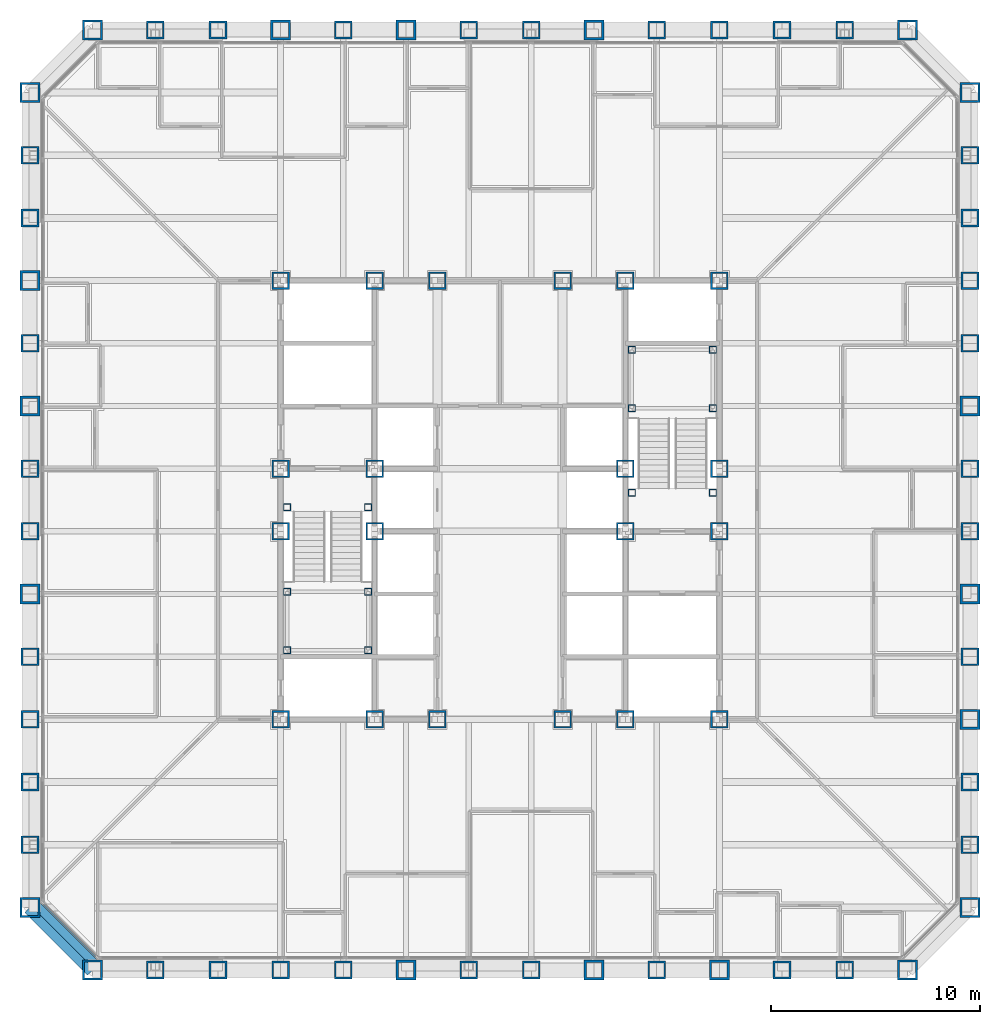
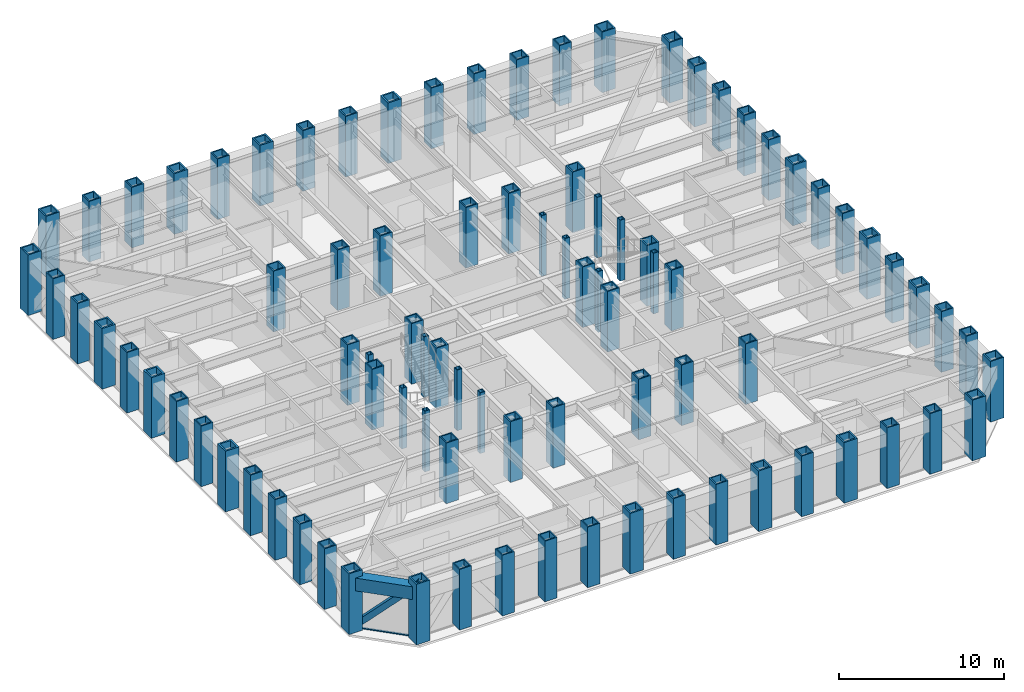
# One storey, part 1 of 17: 88 columns, 2 members, 1 beam, 1 element without a shape of its own.
"""IFC4 building model written with IfcOpenShell, lengths in metres."""

from ifc_helpers import new_model, si_unit, direction, frame, origin, origin_2d, place, context, subcontext, project, spatial, rectangle, hollow_rectangle, extrude, material, layer, layer_set, material_profile, profile_set, type_object, element, aggregate, save


model = new_model("IFC4")

# Units and contexts
model_context = context("Model", 3, precision=1e-05, world=origin(), true_north=direction((0.0, 1.0)))
body_context = subcontext(model_context, "Body", "Model", "MODEL_VIEW")
ifc_project = project(units=[si_unit("LENGTHUNIT", "METRE"), si_unit("AREAUNIT", "SQUARE_METRE"), si_unit("VOLUMEUNIT", "CUBIC_METRE"), si_unit("PLANEANGLEUNIT", "RADIAN"), si_unit("MASSUNIT", "GRAM", prefix="KILO")], contexts=[model_context])

# Site, building, storey
site_placement = place(None, origin())
site = spatial("IfcSite", under=ifc_project, at=site_placement, CompositionType="ELEMENT")
building_placement = place(site_placement, origin())
building = spatial("IfcBuilding", under=site, at=building_placement, Name="Chuquiago Exchange Tower", CompositionType="ELEMENT")
storey_placement = place(building_placement, frame((0.0, 0.0, 87.300048828125)))
storey = spatial("IfcBuildingStorey", under=building, at=storey_placement, Name="L18", CompositionType="ELEMENT", Elevation=87.300048828125)

# Columns
ifc_material_1 = material(Name="Steel ASTM A572 Grade 50", Category="steel")
ifc_material_profile_1 = material_profile(ifc_material_1, hollow_rectangle(XDim=0.85009765625, YDim=0.85009765625, WallThickness=0.0849609375, at=origin_2d()), Name="BOX850X850X85")
ifc_profile_set_1 = profile_set([ifc_material_profile_1], Name="Steel ASTM A572 Grade 50")
column_type_1 = type_object("IfcColumnType", Name="C6 BOX850X850X85", PredefinedType="COLUMN", material=ifc_profile_set_1)
for number, where, z_axis, x_axis, name in (
    (1, (6.0, 0.0, 0.0), (0.0, 0.0, 1.0), (0.0, -1.0, 0.0), "COL-L18-6_0"),
    (2, (9.0, 0.0, 0.0), (0.0, 0.0, 1.0), (0.0, -1.0, 0.0), "COL-L18-9_0"),
    (3, (12.0, 0.0, 0.0), (0.0, 0.0, 1.0), (0.0, -1.0, 0.0), "COL-L18-12_0"),
    (4, (15.0, 0.0, 0.0), (0.0, 0.0, 1.0), (0.0, -1.0, 0.0), "COL-L18-15_0"),
    (5, (21.0, 0.0, 0.0), (0.0, 0.0, 1.0), (0.0, -1.0, 0.0), "COL-L18-21_0"),
    (6, (24.0, 0.0, 0.0), (0.0, 0.0, 1.0), (0.0, -1.0, 0.0), "COL-L18-24_0"),
    (7, (30.0, 0.0, 0.0), (0.0, 0.0, 1.0), (0.0, -1.0, 0.0), "COL-L18-30_0"),
    (8, (36.0, 0.0, 0.0), (0.0, 0.0, 1.0), (0.0, -1.0, 0.0), "COL-L18-36_0"),
    (9, (39.0, 0.0, 0.0), (0.0, 0.0, 1.0), (0.0, -1.0, 0.0), "COL-L18-39_0"),
    (10, (45.0, 6.0, 0.0), (0.0, 0.0, 1.0), (1.0, 0.0, 0.0), "COL-L18-45_6"),
    (11, (45.0, 9.0, 0.0), (0.0, 0.0, 1.0), (1.0, 0.0, 0.0), "COL-L18-45_9"),
    (12, (45.0, 15.0, 0.0), (0.0, 0.0, 1.0), (1.0, 0.0, 0.0), "COL-L18-45_15"),
    (13, (45.0, 21.0, 0.0), (0.0, 0.0, 1.0), (1.0, 0.0, 0.0), "COL-L18-45_21"),
    (14, (45.0, 24.0, 0.0), (0.0, 0.0, 1.0), (1.0, 0.0, 0.0), "COL-L18-45_24"),
    (15, (45.0, 30.0, 0.0), (0.0, 0.0, 1.0), (1.0, 0.0, 0.0), "COL-L18-45_30"),
    (16, (45.0, 33.0, 0.0), (0.0, 0.0, 1.0), (1.0, 0.0, 0.0), "COL-L18-45_33"),
    (17, (45.0, 36.0, 0.0), (0.0, 0.0, 1.0), (1.0, 0.0, 0.0), "COL-L18-45_36"),
    (18, (45.0, 39.0, 0.0), (0.0, 0.0, 1.0), (1.0, 0.0, 0.0), "COL-L18-45_39"),
    (19, (39.0, 45.0, 0.0), (0.0, 0.0, 1.0), (0.0, 1.0, 0.0), "COL-L18-39_45"),
    (20, (36.0, 45.0, 0.0), (0.0, 0.0, 1.0), (0.0, 1.0, 0.0), "COL-L18-36_45"),
    (21, (33.0, 45.0, 0.0), (0.0, 0.0, 1.0), (0.0, 1.0, 0.0), "COL-L18-33_45"),
    (22, (30.0, 45.0, 0.0), (0.0, 0.0, 1.0), (0.0, 1.0, 0.0), "COL-L18-30_45"),
    (23, (24.0, 45.0, 0.0), (0.0, 0.0, 1.0), (0.0, 1.0, 0.0), "COL-L18-24_45"),
    (24, (21.0, 45.0, 0.0), (0.0, 0.0, 1.0), (0.0, 1.0, 0.0), "COL-L18-21_45"),
    (25, (15.0, 45.0, 0.0), (0.0, 0.0, 1.0), (0.0, 1.0, 0.0), "COL-L18-15_45"),
    (26, (9.0, 45.0, 0.0), (0.0, 0.0, 1.0), (0.0, 1.0, 0.0), "COL-L18-9_45"),
    (27, (6.0, 45.0, 0.0), (0.0, 0.0, 1.0), (0.0, 1.0, 0.0), "COL-L18-6_45"),
    (28, (0.0, 39.0, 0.0), (0.0, 0.0, 1.0), (-1.0, 0.0, 0.0), "COL-L18-0_39"),
    (29, (0.0, 36.0, 0.0), (0.0, 0.0, 1.0), (-1.0, 0.0, 0.0), "COL-L18-0_36"),
    (30, (0.0, 30.0, 0.0), (0.0, 0.0, 1.0), (-1.0, 0.0, 0.0), "COL-L18-0_30"),
    (31, (0.0, 24.0, 0.0), (0.0, 0.0, 1.0), (-1.0, 0.0, 0.0), "COL-L18-0_24"),
    (32, (0.0, 21.0, 0.0), (0.0, 0.0, 1.0), (-1.0, 0.0, 0.0), "COL-L18-0_21"),
    (33, (0.0, 15.0, 0.0), (0.0, 0.0, 1.0), (-1.0, 0.0, 0.0), "COL-L18-0_15"),
    (34, (0.0, 12.0, 0.0), (0.0, 0.0, 1.0), (-1.0, 0.0, 0.0), "COL-L18-0_12"),
    (35, (0.0, 9.0, 0.0), (0.0, 0.0, 1.0), (-1.0, 0.0, 0.0), "COL-L18-0_9"),
    (36, (0.0, 6.0, 0.0), (0.0, 0.0, 1.0), (-1.0, 0.0, 0.0), "COL-L18-0_6"),
):
    element("IfcColumn", number, at=place(storey_placement, frame(where, z_axis=z_axis, x_axis=x_axis)), inside=storey, type_object=column_type_1, Name=name, PredefinedType="COLUMN", context=body_context, shape_type="SweptSolid", body=[
        extrude(hollow_rectangle(XDim=0.85009765625, YDim=0.85009765625, WallThickness=0.0849609375, at=origin_2d()), origin(), (0.0, 0.0, 1.0), 4.5),
    ])
ifc_material_2 = material(Name="Steel ASTM A572 Grade 50", Category="steel")
ifc_material_profile_2 = material_profile(ifc_material_2, hollow_rectangle(XDim=0.85009765625, YDim=0.85009765625, WallThickness=0.0849609375, at=origin_2d()), Name="BOX850X850X85")
ifc_profile_set_2 = profile_set([ifc_material_profile_2], Name="Steel ASTM A572 Grade 50")
column_type_2 = type_object("IfcColumnType", Name="CC2 BOX850X850X85", PredefinedType="COLUMN", material=ifc_profile_set_2)
for number, where, z_axis, x_axis, name in (
    (37, (16.5, 12.0, 0.0), (0.0, 0.0, 1.0), (1.0, 0.0, 0.0), "CCOL-L18-16.5_12"),
    (38, (19.5, 12.0, 0.0), (0.0, 0.0, 1.0), (1.0, 0.0, 0.0), "CCOL-L18-19.5_12"),
    (39, (25.5, 12.0, 0.0), (0.0, 0.0, 1.0), (1.0, 0.0, 0.0), "CCOL-L18-25.5_12"),
    (40, (28.5, 12.0, 0.0), (0.0, 0.0, 1.0), (1.0, 0.0, 0.0), "CCOL-L18-28.5_12"),
    (41, (16.5, 33.0, 0.0), (0.0, 0.0, 1.0), (1.0, 0.0, 0.0), "CCOL-L18-16.5_33"),
    (42, (19.5, 33.0, 0.0), (0.0, 0.0, 1.0), (1.0, 0.0, 0.0), "CCOL-L18-19.5_33"),
    (43, (25.5, 33.0, 0.0), (0.0, 0.0, 1.0), (1.0, 0.0, 0.0), "CCOL-L18-25.5_33"),
    (44, (28.5, 33.0, 0.0), (0.0, 0.0, 1.0), (1.0, 0.0, 0.0), "CCOL-L18-28.5_33"),
    (45, (12.0, 21.0, 0.0), (0.0, 0.0, 1.0), (1.0, 0.0, 0.0), "CCOL-L18-12_21"),
    (46, (12.0, 24.0, 0.0), (0.0, 0.0, 1.0), (1.0, 0.0, 0.0), "CCOL-L18-12_24"),
    (47, (33.0, 21.0, 0.0), (0.0, 0.0, 1.0), (1.0, 0.0, 0.0), "CCOL-L18-33_21"),
    (48, (33.0, 24.0, 0.0), (0.0, 0.0, 1.0), (1.0, 0.0, 0.0), "CCOL-L18-33_24"),
    (49, (16.5, 21.0, 0.0), (0.0, 0.0, 1.0), (1.0, 0.0, 0.0), "CCOL-L18-16.5_21"),
    (50, (16.5, 24.0, 0.0), (0.0, 0.0, 1.0), (1.0, 0.0, 0.0), "CCOL-L18-16.5_24"),
    (51, (28.5, 21.0, 0.0), (0.0, 0.0, 1.0), (1.0, 0.0, 0.0), "CCOL-L18-28.5_21"),
    (52, (28.5, 24.0, 0.0), (0.0, 0.0, 1.0), (1.0, 0.0, 0.0), "CCOL-L18-28.5_24"),
):
    element("IfcColumn", number, at=place(storey_placement, frame(where, z_axis=z_axis, x_axis=x_axis)), inside=storey, type_object=column_type_2, Name=name, PredefinedType="COLUMN", context=body_context, shape_type="SweptSolid", body=[
        extrude(hollow_rectangle(XDim=0.85009765625, YDim=0.85009765625, WallThickness=0.0849609375, at=origin_2d()), origin(), (0.0, 0.0, 1.0), 4.5),
    ])
ifc_material_3 = material(Name="Steel ASTM A572 Grade 50", Category="steel")
ifc_material_profile_3 = material_profile(ifc_material_3, hollow_rectangle(XDim=0.85009765625, YDim=0.85009765625, WallThickness=0.0849609375, at=origin_2d()), Name="BOX850X850X85")
ifc_profile_set_3 = profile_set([ifc_material_profile_3], Name="Steel ASTM A572 Grade 50")
column_type_3 = type_object("IfcColumnType", Name="CC6 BOX850X850X85", PredefinedType="COLUMN", material=ifc_profile_set_3)
for number, where, z_axis, x_axis, name in (
    (53, (12.0, 12.0, 0.0), (0.0, 0.0, 1.0), (1.0, 0.0, 0.0), "CCOL-L18-12_12"),
    (54, (33.0, 12.0, 0.0), (0.0, 0.0, 1.0), (1.0, 0.0, 0.0), "CCOL-L18-33_12"),
    (55, (12.0, 33.0, 0.0), (0.0, 0.0, 1.0), (1.0, 0.0, 0.0), "CCOL-L18-12_33"),
    (56, (33.0, 33.0, 0.0), (0.0, 0.0, 1.0), (1.0, 0.0, 0.0), "CCOL-L18-33_33"),
):
    element("IfcColumn", number, at=place(storey_placement, frame(where, z_axis=z_axis, x_axis=x_axis)), inside=storey, type_object=column_type_3, Name=name, PredefinedType="COLUMN", context=body_context, shape_type="SweptSolid", body=[
        extrude(hollow_rectangle(XDim=0.85009765625, YDim=0.85009765625, WallThickness=0.0849609375, at=origin_2d()), origin(), (0.0, 0.0, 1.0), 4.5),
    ])
ifc_material_4 = material(Name="Steel ASTM A572 Grade 50", Category="steel")
ifc_material_profile_4 = material_profile(ifc_material_4, hollow_rectangle(XDim=0.949951171875, YDim=0.949951171875, WallThickness=0.094970703125, at=origin_2d()), Name="BOX950X950X95")
ifc_profile_set_4 = profile_set([ifc_material_profile_4], Name="Steel ASTM A572 Grade 50")
column_type_4 = type_object("IfcColumnType", Name="CN1 BOX950X950X95", PredefinedType="COLUMN", material=ifc_profile_set_4)
for number, where, z_axis, x_axis, name in (
    (57, (3.0, 0.0, 0.0), (0.0, 0.0, 1.0), (0.0, -1.0, 0.0), "COL-L18-3_0"),
    (58, (42.0, 0.0, 0.0), (0.0, 0.0, 1.0), (0.0, -1.0, 0.0), "COL-L18-42_0"),
    (59, (45.0, 3.0, 0.0), (0.0, 0.0, 1.0), (1.0, 0.0, 0.0), "COL-L18-45_3"),
    (60, (45.0, 42.0, 0.0), (0.0, 0.0, 1.0), (1.0, 0.0, 0.0), "COL-L18-45_42"),
    (61, (42.0, 45.0, 0.0), (0.0, 0.0, 1.0), (0.0, 1.0, 0.0), "COL-L18-42_45"),
    (62, (3.0, 45.0, 0.0), (0.0, 0.0, 1.0), (0.0, 1.0, 0.0), "COL-L18-3_45"),
    (63, (0.0, 42.0, 0.0), (0.0, 0.0, 1.0), (-1.0, 0.0, 0.0), "COL-L18-0_42"),
    (64, (0.0, 3.0, 0.0), (0.0, 0.0, 1.0), (-1.0, 0.0, 0.0), "COL-L18-0_3"),
):
    element("IfcColumn", number, at=place(storey_placement, frame(where, z_axis=z_axis, x_axis=x_axis)), inside=storey, type_object=column_type_4, Name=name, PredefinedType="COLUMN", context=body_context, shape_type="SweptSolid", body=[
        extrude(hollow_rectangle(XDim=0.949951171875, YDim=0.949951171875, WallThickness=0.094970703125, at=origin_2d()), origin(), (0.0, 0.0, 1.0), 4.5),
    ])
ifc_material_5 = material(Name="Steel ASTM A572 Grade 42", Category="steel")
ifc_material_profile_5 = material_profile(ifc_material_5, hollow_rectangle(XDim=0.949951171875, YDim=0.949951171875, WallThickness=0.110107421875, at=origin_2d()), Name="BOX950X950X110")
ifc_profile_set_5 = profile_set([ifc_material_profile_5], Name="Steel ASTM A572 Grade 42")
column_type_5 = type_object("IfcColumnType", Name="CT1 BOX950X950X110", PredefinedType="COLUMN", material=ifc_profile_set_5)
for number, where, z_axis, x_axis, name in (
    (65, (18.0, 0.0, 0.0), (0.0, 0.0, 1.0), (0.0, -1.0, 0.0), "COL-L18-18_0"),
    (66, (27.0, 0.0, 0.0), (0.0, 0.0, 1.0), (0.0, -1.0, 0.0), "COL-L18-27_0"),
    (67, (33.0, 0.0, 0.0), (0.0, 0.0, 1.0), (0.0, -1.0, 0.0), "COL-L18-33_0"),
    (68, (45.0, 12.0, 0.0), (0.0, 0.0, 1.0), (1.0, 0.0, 0.0), "COL-L18-45_12"),
    (69, (45.0, 18.0, 0.0), (0.0, 0.0, 1.0), (1.0, 0.0, 0.0), "COL-L18-45_18"),
    (70, (45.0, 27.0, 0.0), (0.0, 0.0, 1.0), (1.0, 0.0, 0.0), "COL-L18-45_27"),
    (71, (27.0, 45.0, 0.0), (0.0, 0.0, 1.0), (0.0, 1.0, 0.0), "COL-L18-27_45"),
    (72, (18.0, 45.0, 0.0), (0.0, 0.0, 1.0), (0.0, 1.0, 0.0), "COL-L18-18_45"),
    (73, (12.0, 45.0, 0.0), (0.0, 0.0, 1.0), (0.0, 1.0, 0.0), "COL-L18-12_45"),
    (74, (0.0, 33.0, 0.0), (0.0, 0.0, 1.0), (-1.0, 0.0, 0.0), "COL-L18-0_33"),
    (75, (0.0, 27.0, 0.0), (0.0, 0.0, 1.0), (-1.0, 0.0, 0.0), "COL-L18-0_27"),
    (76, (0.0, 18.0, 0.0), (0.0, 0.0, 1.0), (-1.0, 0.0, 0.0), "COL-L18-0_18"),
):
    element("IfcColumn", number, at=place(storey_placement, frame(where, z_axis=z_axis, x_axis=x_axis)), inside=storey, type_object=column_type_5, Name=name, PredefinedType="COLUMN", context=body_context, shape_type="SweptSolid", body=[
        extrude(hollow_rectangle(XDim=0.949951171875, YDim=0.949951171875, WallThickness=0.110107421875, at=origin_2d()), origin(), (0.0, 0.0, 1.0), 4.5),
    ])
ifc_material_6 = material(Name="Steel ASTM A572 Grade 50", Category="steel")
ifc_material_profile_6 = material_profile(ifc_material_6, hollow_rectangle(XDim=0.35009765625, YDim=0.35009765625, WallThickness=0.034912109375, at=origin_2d()), Name="BOX350X350X35")
ifc_profile_set_6 = profile_set([ifc_material_profile_6], Name="Steel ASTM A572 Grade 50")
column_type_6 = type_object("IfcColumnType", Name="PT3 BOX350X350X35", PredefinedType="COLUMN", material=ifc_profile_set_6)
for number, where, z_axis, x_axis, name in (
    (77, (12.31005859375, 15.31005859375, 0.0), (0.0, 0.0, 1.0), (1.0, 0.0, 0.0), "Stair ST1 L18 landing post"),
    (78, (16.18994140625, 15.31005859375, 0.0), (0.0, 0.0, 1.0), (1.0, 0.0, 0.0), "Stair ST1 L18 landing post"),
    (79, (12.31005859375, 18.110107421875, 0.0), (0.0, 0.0, 1.0), (1.0, 0.0, 0.0), "Stair ST1 L18 landing post"),
    (80, (16.18994140625, 18.110107421875, 0.0), (0.0, 0.0, 1.0), (1.0, 0.0, 0.0), "Stair ST1 L18 landing post"),
    (81, (12.31005859375, 22.14990234375, 0.0), (0.0, 0.0, 1.0), (1.0, 0.0, 0.0), "Stair ST1 L18 landing post"),
    (82, (16.18994140625, 22.14990234375, 0.0), (0.0, 0.0, 1.0), (1.0, 0.0, 0.0), "Stair ST1 L18 landing post"),
    (83, (28.81005859375, 29.68994140625, 0.0), (0.0, 0.0, 1.0), (1.0, 0.0, 0.0), "Stair ST2 L18 landing post"),
    (84, (32.68994140625, 29.68994140625, 0.0), (0.0, 0.0, 1.0), (1.0, 0.0, 0.0), "Stair ST2 L18 landing post"),
    (85, (28.81005859375, 26.889892578125, 0.0), (0.0, 0.0, 1.0), (1.0, 0.0, 0.0), "Stair ST2 L18 landing post"),
    (86, (32.68994140625, 26.889892578125, 0.0), (0.0, 0.0, 1.0), (1.0, 0.0, 0.0), "Stair ST2 L18 landing post"),
    (87, (28.81005859375, 22.85009765625, 0.0), (0.0, 0.0, 1.0), (1.0, 0.0, 0.0), "Stair ST2 L18 landing post"),
    (88, (32.68994140625, 22.85009765625, 0.0), (0.0, 0.0, 1.0), (1.0, 0.0, 0.0), "Stair ST2 L18 landing post"),
):
    element("IfcColumn", number, at=place(storey_placement, frame(where, z_axis=z_axis, x_axis=x_axis)), inside=storey, type_object=column_type_6, Name=name, PredefinedType="COLUMN", context=body_context, shape_type="SweptSolid", body=[
        extrude(hollow_rectangle(XDim=0.35009765625, YDim=0.35009765625, WallThickness=0.034912109375, at=origin_2d()), origin(), (0.0, 0.0, 1.0), 4.5),
    ])

# Curtain wall, member
ifc_material_7 = material(Name="Aluminium curtain wall system", Category="aluminium")
ifc_layer = layer(ifc_material_7, 0.199951171875)
ifc_layer_set = layer_set([ifc_layer], Name="CW3 facet curtain wall")
curtain_wall_type = type_object("IfcCurtainWallType", Name="CW3 facet curtain wall", PredefinedType="NOTDEFINED", material=ifc_layer_set)
curtain_wall_placement = place(storey_placement, origin())
curtain_wall = element("IfcCurtainWall", 89, at=curtain_wall_placement, inside=storey, type_object=curtain_wall_type, Name="CW3 curtain wall L18", PredefinedType="NOTDEFINED")
ifc_material_8 = material(Name="Aluminium transom, pale anodised", Category="aluminium")
ifc_material_profile_7 = material_profile(ifc_material_8, rectangle(XDim=0.139892578125, YDim=0.06494140625, at=origin_2d()), Name="AL 140x65")
ifc_profile_set_7 = profile_set([ifc_material_profile_7], Name="Aluminium transom, pale anodised")
member_type_1 = type_object("IfcMemberType", Name="CW3-T transom 65x140", PredefinedType="MULLION", material=ifc_profile_set_7)
member_1_placement = place(storey_placement, frame((0.64599609375, 3.20263671875, -0.267578125), z_axis=(0.707106781187, -0.707106781187, 0.0), x_axis=(0.707106781187, 0.707106781187, 0.0)))
member_1 = element("IfcMember", 90, at=member_1_placement, type_object=member_type_1, Name="CW3 transom 1.1", PredefinedType="MULLION", context=body_context, shape_type="SweptSolid", body=[
    extrude(rectangle(XDim=0.139892578125, YDim=0.06494140625, at=origin_2d()), origin(), (0.0, 0.0, 1.0), 3.61572265625),
])
aggregate(curtain_wall, [member_1])

# Member
ifc_material_9 = material(Name="Steel ASTM A500 Grade C", Category="steel")
ifc_material_profile_8 = material_profile(ifc_material_9, hollow_rectangle(XDim=0.406494140625, YDim=0.406494140625, WallThickness=0.0146484375, at=origin_2d()), Name="HSS16X16X5/8")
ifc_profile_set_8 = profile_set([ifc_material_profile_8], Name="Steel ASTM A500 Grade C")
member_type_2 = type_object("IfcMemberType", Name="LB4 HSS16X16X5/8", PredefinedType="BRACE", material=ifc_profile_set_8)
member_2_placement = place(storey_placement, frame((0.21337890625, 3.21337890625, 0.0), z_axis=(0.512077265487, -0.512077265487, 0.689604051861), x_axis=(0.707106781187, 0.707106781187, 0.0)))
element("IfcMember", 91, at=member_2_placement, inside=storey, type_object=member_type_2, Name="LB-L18-0_3-3_0", PredefinedType="BRACE", context=body_context, shape_type="SweptSolid", body=[
    extrude(hollow_rectangle(XDim=0.406494140625, YDim=0.406494140625, WallThickness=0.0146484375, at=origin_2d()), origin(), (0.0, 0.0, 1.0), 5.8583984375),
])

# Beam
ifc_material_10 = material(Name="Steel ASTM A572 Grade 50", Category="steel")
ifc_material_profile_9 = material_profile(ifc_material_10, hollow_rectangle(XDim=0.699951171875, YDim=0.949951171875, WallThickness=0.10009765625, at=origin_2d()), Name="BOX950X700X100")
ifc_profile_set_9 = profile_set([ifc_material_profile_9], Name="Steel ASTM A572 Grade 50")
beam_type = type_object("IfcBeamType", Name="SP5 BOX950X700X100", PredefinedType="SPANDREL", material=ifc_profile_set_9)
beam_placement = place(storey_placement, frame((0.0, 3.0, 3.56494140625), z_axis=(0.707106781187, -0.707106781187, 0.0), x_axis=(0.707106781187, 0.707106781187, 0.0)))
element("IfcBeam", 92, at=beam_placement, inside=storey, type_object=beam_type, Name="SPB-L19-0_3-3_0", PredefinedType="SPANDREL", context=body_context, shape_type="SweptSolid", body=[
    extrude(hollow_rectangle(XDim=0.699951171875, YDim=0.949951171875, WallThickness=0.10009765625, at=origin_2d()), origin(), (0.0, 0.0, 1.0), 4.24267578125),
])

save(model, "model.ifc")
